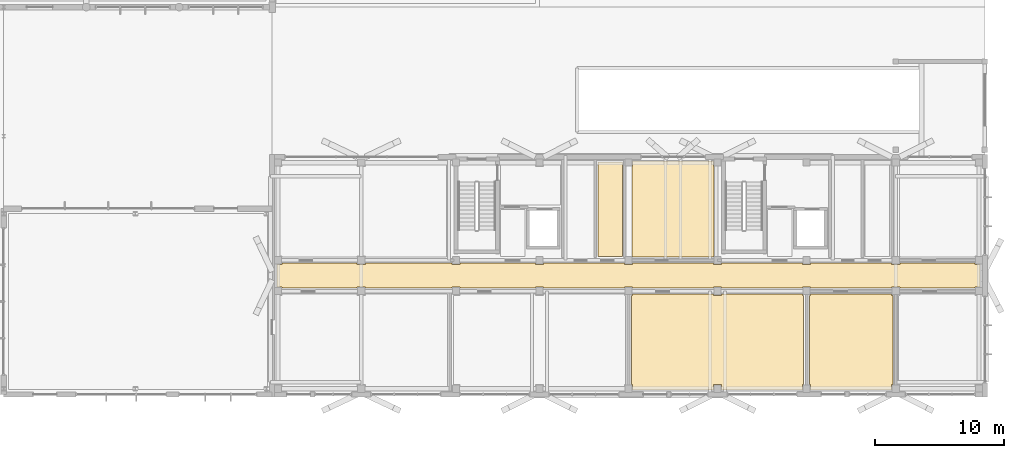
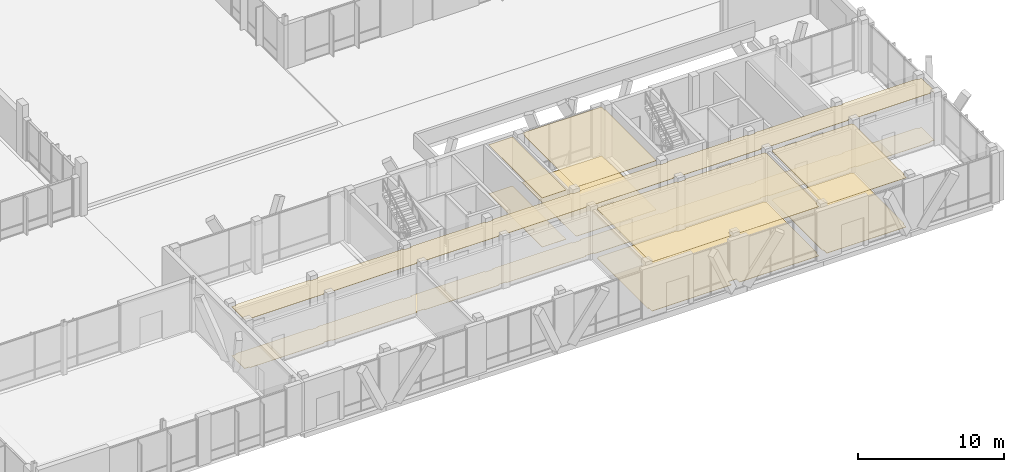
# One storey, part 228 of 233: 10 coverings.
"""IFC4 building model written with IfcOpenShell, lengths in metres."""

import ifcopenshell
import ifcopenshell.guid

model = None  # the IFC model being written
_history = None  # IfcOwnerHistory: only IFC2X3 demands one
_inside = {}  # id of a spatial element -> (the spatial element, [elements in it])
_under = {}  # id of a project, library or spatial element -> (it, [spatial elements below it])
_declared = {}  # id of a project -> (the project, [libraries it declares])
_typed = {}  # id of a type object -> (the type object, [elements of that type])
_made_of = {}  # id of a material, layer set ... -> (it, [elements and type objects made of it])


def new_model(schema):
    """Start an empty IFC model of exactly this schema.

    Asked for "IFC4X3", IfcOpenShell would pick the latest addendum, in which some entities
    have other attributes; the version numbers below select the first issue.
    IFC2X3 requires an IfcOwnerHistory on every rooted entity: one is made here for all.
    """
    global model, _history
    if schema == "IFC4X3":
        model = ifcopenshell.file(schema_version=(4, 3, 0, 0))
    else:
        model = ifcopenshell.file(schema=schema)
    _inside.clear()
    _under.clear()
    _declared.clear()
    _typed.clear()
    _made_of.clear()
    _history = None
    if model.schema == "IFC2X3":
        org = make("IfcOrganization", Name="unknown")
        user = make(
            "IfcPersonAndOrganization",
            ThePerson=make("IfcPerson", FamilyName="unknown"),
            TheOrganization=org,
        )
        app = make(
            "IfcApplication",
            ApplicationDeveloper=org,
            Version="unknown",
            ApplicationFullName="unknown",
            ApplicationIdentifier="unknown",
        )
        _history = make(
            "IfcOwnerHistory",
            OwningUser=user,
            OwningApplication=app,
            ChangeAction="ADDED",
            CreationDate=0,
        )
    return model


def make(cls, **values):
    """One entity of the class cls with the attributes given. An attribute that is None is left unset."""
    return model.create_entity(
        cls, **{name: value for name, value in values.items() if value is not None}
    )


def rooted(cls, **values):
    """An entity with a GlobalId (a new one), such as an element, a storey or a relation."""
    return make(cls, GlobalId=ifcopenshell.guid.new(), OwnerHistory=_history, **values)


def si_unit(unit_type, name, prefix=None):
    """IfcSIUnit, for example si_unit("LENGTHUNIT", "METRE", prefix="MILLI")."""
    return make("IfcSIUnit", UnitType=unit_type, Prefix=prefix, Name=name)


def assignment(units):
    """IfcUnitAssignment: the units of a project."""
    return None if units is None else make("IfcUnitAssignment", Units=units)


def point(xyz):
    """IfcCartesianPoint."""
    return None if xyz is None else make("IfcCartesianPoint", Coordinates=xyz)


def direction(xyz):
    """IfcDirection."""
    return None if xyz is None else make("IfcDirection", DirectionRatios=xyz)


def frame(location, z_axis=None, x_axis=None):
    """IfcAxis2Placement3D, a coordinate frame: its origin and axes. An axis left out is left unset."""
    return make(
        "IfcAxis2Placement3D",
        Location=point(location),
        Axis=direction(z_axis),
        RefDirection=direction(x_axis),
    )


def origin():
    """The frame at (0, 0, 0) with its axes left unset."""
    return frame((0.0, 0.0, 0.0))


def place(relative_to, where):
    """IfcLocalPlacement: puts the frame where relative to a parent placement (None: the world)."""
    return make(
        "IfcLocalPlacement", PlacementRelTo=relative_to, RelativePlacement=where
    )


def context(
    kind, dimensions, precision=None, world=None, true_north=None, identifier=None
):
    """IfcGeometricRepresentationContext, for example the 3D "Model" context."""
    return make(
        "IfcGeometricRepresentationContext",
        ContextIdentifier=identifier,
        ContextType=kind,
        CoordinateSpaceDimension=dimensions,
        Precision=precision,
        WorldCoordinateSystem=world,
        TrueNorth=true_north,
    )


def subcontext(parent, identifier, kind, view, scale=None):
    """IfcGeometricRepresentationSubContext, for example "Body" below "Model"."""
    return make(
        "IfcGeometricRepresentationSubContext",
        ContextIdentifier=identifier,
        ContextType=kind,
        ParentContext=parent,
        TargetScale=scale,
        TargetView=view,
    )


def project(units=None, contexts=None):
    """IfcProject with its units and contexts."""
    return rooted(
        "IfcProject",
        Name="project",
        RepresentationContexts=contexts,
        UnitsInContext=assignment(units),
    )


def spatial(cls, under=None, at=None, **own):
    """A site, building, storey or space (cls), placed at a placement, below another one or the project."""
    s = rooted(cls, ObjectPlacement=at, **own)
    if under is not None:
        _under.setdefault(under.id(), (under, []))[1].append(s)
    return s


def polyline(points):
    """IfcPolyline through the points."""
    return make("IfcPolyline", Points=[point(p) for p in points])


def outline(outer, holes=None, kind="AREA"):
    """IfcArbitraryClosedProfileDef: a profile drawn as a closed curve; with holes, ...WithVoids."""
    if holes is None:
        return make("IfcArbitraryClosedProfileDef", ProfileType=kind, OuterCurve=outer)
    return make(
        "IfcArbitraryProfileDefWithVoids",
        ProfileType=kind,
        OuterCurve=outer,
        InnerCurves=holes,
    )


def extrude(swept, where, along, depth):
    """IfcExtrudedAreaSolid: the profile swept, set in the frame where, extruded along a direction by depth."""
    return make(
        "IfcExtrudedAreaSolid",
        SweptArea=swept,
        Position=where,
        ExtrudedDirection=direction(along),
        Depth=depth,
    )


def shape(context_of_items, identifier, shape_type, items):
    """IfcShapeRepresentation: the items that make up one representation, for example the "Body"."""
    return make(
        "IfcShapeRepresentation",
        ContextOfItems=context_of_items,
        RepresentationIdentifier=identifier,
        RepresentationType=shape_type,
        Items=items,
    )


def material(Name=None, Category=None):
    """IfcMaterial."""
    return make("IfcMaterial", Name=Name, Category=Category)


def layer(
    of_material, thickness, ventilated=None, Name=None, Category=None, Priority=None
):
    """IfcMaterialLayer: one layer of a wall or slab, of a material (None: an air gap)."""
    return make(
        "IfcMaterialLayer",
        Material=of_material,
        LayerThickness=thickness,
        IsVentilated=ventilated,
        Name=Name,
        Category=Category,
        Priority=Priority,
    )


def layer_set(layers, Name=None):
    """IfcMaterialLayerSet."""
    return make("IfcMaterialLayerSet", MaterialLayers=layers, LayerSetName=Name)


def made_of(thing, what):
    """Note that an element or type object is made of a material, layer set ...; save() writes the relation."""
    if what is not None:
        _made_of.setdefault(what.id(), (what, []))[1].append(thing)
    return thing


def type_object(cls, material=None, **own):
    """A type object (cls), such as IfcWallType, which elements share."""
    return made_of(rooted(cls, **own), material)


def element(
    cls,
    number,
    at=None,
    inside=None,
    cuts=None,
    type_object=None,
    material=None,
    context=None,
    identifier="Body",
    shape_type=None,
    held_by="IfcProductDefinitionShape",
    body=None,
    shapes=None,
    **own,
):
    """One element of the class cls, such as IfcWall. Its Tag is "e" and its number.

    at: its placement. inside: the storey or other place that contains it. cuts: it is an
    opening in that element (IfcRelVoidsElement). A single representation is given by context,
    identifier, shape_type and body (its items); several are given by shapes. held_by: the class
    of the entity that holds the representations. save() writes the other relations.
    """
    e = rooted(cls, Tag="e%d" % number, ObjectPlacement=at, **own)
    if body is not None:
        shapes = [shape(context, identifier, shape_type, body)]
    if shapes is not None:
        e.Representation = make(held_by, Representations=shapes)
    if inside is not None:
        _inside.setdefault(inside.id(), (inside, []))[1].append(e)
    if cuts is not None:
        rooted(
            "IfcRelVoidsElement", RelatingBuildingElement=cuts, RelatedOpeningElement=e
        )
    if type_object is not None:
        _typed.setdefault(type_object.id(), (type_object, []))[1].append(e)
    return made_of(e, material)


def aggregate(whole, parts):
    """IfcRelAggregates: a whole, such as a stair, and the parts it consists of."""
    return rooted("IfcRelAggregates", RelatingObject=whole, RelatedObjects=parts)


def save(model, path):
    """Write the relations noted so far, then the file.

    IfcRelAggregates (storeys below a building ...), IfcRelContainedInSpatialStructure (elements
    in a storey), IfcRelDefinesByType, IfcRelAssociatesMaterial and IfcRelDeclares: one each for
    every whole, place, type object, material and project.
    """
    for whole, parts in _under.values():
        aggregate(whole, parts)
    for where, things in _inside.values():
        rooted(
            "IfcRelContainedInSpatialStructure",
            RelatedElements=things,
            RelatingStructure=where,
        )
    for kind, things in _typed.values():
        rooted("IfcRelDefinesByType", RelatedObjects=things, RelatingType=kind)
    for what, things in _made_of.values():
        rooted("IfcRelAssociatesMaterial", RelatedObjects=things, RelatingMaterial=what)
    for by, libraries in _declared.values():
        rooted("IfcRelDeclares", RelatingContext=by, RelatedDefinitions=libraries)
    model.write(path)


model = new_model("IFC4")

# Units and contexts
model_context = context("Model", 3, precision=1e-05, world=origin(), true_north=direction((0.0, 1.0)))
body_context = subcontext(model_context, "Body", "Model", "MODEL_VIEW")
ifc_project = project(units=[si_unit("LENGTHUNIT", "METRE"), si_unit("AREAUNIT", "SQUARE_METRE"), si_unit("VOLUMEUNIT", "CUBIC_METRE"), si_unit("PLANEANGLEUNIT", "RADIAN"), si_unit("MASSUNIT", "GRAM", prefix="KILO")], contexts=[model_context])

# Site, building, storey
site_placement = place(None, origin())
site = spatial("IfcSite", under=ifc_project, at=site_placement, CompositionType="ELEMENT")
building_placement = place(site_placement, origin())
building = spatial("IfcBuilding", under=site, at=building_placement, Name="Zavelmont Quarter", CompositionType="ELEMENT")
storey_placement = place(building_placement, origin())
storey = spatial("IfcBuildingStorey", under=building, at=storey_placement, Name="L00", CompositionType="ELEMENT", Elevation=0.0)

# Coverings
ifc_material_1 = material(Name="Perforated acoustic gypsum board")
ifc_layer_1 = layer(ifc_material_1, 0.02490234375)
ifc_layer_set_1 = layer_set([ifc_layer_1], Name="Perforated acoustic gypsum board")
covering_type_1 = type_object("IfcCoveringType", Name="CV-CL01", PredefinedType="CEILING", material=ifc_layer_set_1)
covering_1_placement = place(storey_placement, frame((0.0, 0.0, 4.094970703125)))
element("IfcCovering", 1, at=covering_1_placement, inside=storey, type_object=covering_type_1, Name="L00 Refuse Chute Room acoustic ceiling", PredefinedType="CEILING", context=body_context, shape_type="SweptSolid", body=[
    extrude(outline(polyline([(138.030029296875, 18.02001953125), (139.919921875, 18.02001953125), (139.919921875, 10.679931640625), (138.030029296875, 10.679931640625), (138.030029296875, 18.02001953125)])), origin(), (0.0, 0.0, 1.0), 0.025146484375),
])
covering_2_placement = place(storey_placement, frame((0.0, 0.0, 4.094970703125)))
element("IfcCovering", 2, at=covering_2_placement, inside=storey, type_object=covering_type_1, Name="L00 Entrance Lobby and Corridor acoustic ceiling", PredefinedType="CEILING", context=body_context, shape_type="SweptSolid", body=[
    extrude(outline(polyline([(113.179931640625, 10.0849609375), (113.554931640625, 10.0849609375), (113.554931640625, 10.169921875), (119.385009765625, 10.169921875), (119.385009765625, 10.0849609375), (120.014892578125, 10.0849609375), (120.014892578125, 10.169921875), (126.72509765625, 10.169921875), (126.72509765625, 10.0849609375), (127.35498046875, 10.0849609375), (127.35498046875, 10.169921875), (133.18505859375, 10.169921875), (133.18505859375, 10.0849609375), (133.81494140625, 10.0849609375), (133.81494140625, 10.169921875), (140.0849609375, 10.169921875), (140.0849609375, 10.0849609375), (140.715087890625, 10.0849609375), (140.715087890625, 10.169921875), (146.985107421875, 10.169921875), (146.985107421875, 10.0849609375), (147.614990234375, 10.0849609375), (147.614990234375, 10.169921875), (153.885009765625, 10.169921875), (153.885009765625, 10.0849609375), (154.514892578125, 10.0849609375), (154.514892578125, 10.169921875), (160.784912109375, 10.169921875), (160.784912109375, 10.0849609375), (161.4150390625, 10.0849609375), (161.4150390625, 10.169921875), (167.2451171875, 10.169921875), (167.2451171875, 10.0849609375), (167.6201171875, 10.0849609375), (167.6201171875, 8.31494140625), (167.2451171875, 8.31494140625), (167.2451171875, 8.22998046875), (161.4150390625, 8.22998046875), (161.4150390625, 8.31494140625), (160.784912109375, 8.31494140625), (160.784912109375, 8.22998046875), (154.514892578125, 8.22998046875), (154.514892578125, 8.31494140625), (153.885009765625, 8.31494140625), (153.885009765625, 8.22998046875), (147.614990234375, 8.22998046875), (147.614990234375, 8.31494140625), (146.985107421875, 8.31494140625), (146.985107421875, 8.22998046875), (140.715087890625, 8.22998046875), (140.715087890625, 8.31494140625), (140.0849609375, 8.31494140625), (140.0849609375, 8.22998046875), (133.81494140625, 8.22998046875), (133.81494140625, 8.31494140625), (133.18505859375, 8.31494140625), (133.18505859375, 8.22998046875), (127.35498046875, 8.22998046875), (127.35498046875, 8.31494140625), (126.72509765625, 8.31494140625), (126.72509765625, 8.22998046875), (120.014892578125, 8.22998046875), (120.014892578125, 8.31494140625), (119.385009765625, 8.31494140625), (119.385009765625, 8.22998046875), (113.554931640625, 8.22998046875), (113.554931640625, 8.31494140625), (113.179931640625, 8.31494140625), (113.179931640625, 10.0849609375)])), origin(), (0.0, 0.0, 1.0), 0.025146484375),
])
covering_3_placement = place(storey_placement, frame((0.0, 0.0, 4.094970703125)))
element("IfcCovering", 3, at=covering_3_placement, inside=storey, type_object=covering_type_1, Name="L00 Pram and Cycle Room acoustic ceiling", PredefinedType="CEILING", context=body_context, shape_type="SweptSolid", body=[
    extrude(outline(polyline([(140.6298828125, 7.68505859375), (140.715087890625, 7.68505859375), (140.715087890625, 7.77001953125), (146.985107421875, 7.77001953125), (146.985107421875, 7.68505859375), (147.614990234375, 7.68505859375), (147.614990234375, 7.77001953125), (153.885009765625, 7.77001953125), (153.885009765625, 7.68505859375), (153.969970703125, 7.68505859375), (153.969970703125, 0.7548828125), (153.885009765625, 0.7548828125), (153.885009765625, 0.330078125), (147.614990234375, 0.330078125), (147.614990234375, 0.7548828125), (146.985107421875, 0.7548828125), (146.985107421875, 0.330078125), (140.715087890625, 0.330078125), (140.715087890625, 0.7548828125), (140.6298828125, 0.7548828125), (140.6298828125, 7.68505859375)])), origin(), (0.0, 0.0, 1.0), 0.025146484375),
])
covering_4_placement = place(storey_placement, frame((0.0, 0.0, 4.094970703125)))
element("IfcCovering", 4, at=covering_4_placement, inside=storey, type_object=covering_type_1, Name="L00 Refuse and Recycling Room acoustic ceiling", PredefinedType="CEILING", context=body_context, shape_type="SweptSolid", body=[
    extrude(outline(polyline([(154.429931640625, 7.68505859375), (154.514892578125, 7.68505859375), (154.514892578125, 7.77001953125), (160.784912109375, 7.77001953125), (160.784912109375, 7.68505859375), (160.8701171875, 7.68505859375), (160.8701171875, 0.7548828125), (160.784912109375, 0.7548828125), (160.784912109375, 0.330078125), (154.514892578125, 0.330078125), (154.514892578125, 0.7548828125), (154.429931640625, 0.7548828125), (154.429931640625, 7.68505859375)])), origin(), (0.0, 0.0, 1.0), 0.025146484375),
])
covering_5_placement = place(storey_placement, frame((0.0, 0.0, 4.094970703125)))
element("IfcCovering", 5, at=covering_5_placement, inside=storey, type_object=covering_type_1, Name="L00 Residents Workshop acoustic ceiling", PredefinedType="CEILING", context=body_context, shape_type="SweptSolid", body=[
    extrude(outline(polyline([(140.679931640625, 17.64501953125), (140.715087890625, 17.64501953125), (140.715087890625, 18.070068359375), (146.985107421875, 18.070068359375), (146.985107421875, 17.64501953125), (147.02001953125, 17.64501953125), (147.02001953125, 10.715087890625), (146.985107421875, 10.715087890625), (146.985107421875, 10.6298828125), (140.715087890625, 10.6298828125), (140.715087890625, 10.715087890625), (140.679931640625, 10.715087890625), (140.679931640625, 17.64501953125)])), origin(), (0.0, 0.0, 1.0), 0.025146484375),
])
ifc_material_2 = material(Name="Engineered European oak parquet")
ifc_layer_2 = layer(ifc_material_2, 0.02197265625)
ifc_layer_set_2 = layer_set([ifc_layer_2], Name="Engineered European oak parquet")
covering_type_2 = type_object("IfcCoveringType", Name="CV-FL01", PredefinedType="FLOORING", material=ifc_layer_set_2)
covering_6_placement = place(storey_placement, origin())
element("IfcCovering", 6, at=covering_6_placement, inside=storey, type_object=covering_type_2, Name="L00 Refuse Chute Room floor finish", PredefinedType="FLOORING", context=body_context, shape_type="SweptSolid", body=[
    extrude(outline(polyline([(138.030029296875, 18.02001953125), (139.919921875, 18.02001953125), (139.919921875, 10.679931640625), (138.030029296875, 10.679931640625), (138.030029296875, 18.02001953125)])), origin(), (0.0, 0.0, 1.0), 0.02197265625),
])
covering_7_placement = place(storey_placement, origin())
element("IfcCovering", 7, at=covering_7_placement, inside=storey, type_object=covering_type_2, Name="L00 Entrance Lobby and Corridor floor finish", PredefinedType="FLOORING", context=body_context, shape_type="SweptSolid", body=[
    extrude(outline(polyline([(113.179931640625, 10.0849609375), (113.554931640625, 10.0849609375), (113.554931640625, 10.169921875), (119.385009765625, 10.169921875), (119.385009765625, 10.0849609375), (120.014892578125, 10.0849609375), (120.014892578125, 10.169921875), (126.72509765625, 10.169921875), (126.72509765625, 10.0849609375), (127.35498046875, 10.0849609375), (127.35498046875, 10.169921875), (133.18505859375, 10.169921875), (133.18505859375, 10.0849609375), (133.81494140625, 10.0849609375), (133.81494140625, 10.169921875), (140.0849609375, 10.169921875), (140.0849609375, 10.0849609375), (140.715087890625, 10.0849609375), (140.715087890625, 10.169921875), (146.985107421875, 10.169921875), (146.985107421875, 10.0849609375), (147.614990234375, 10.0849609375), (147.614990234375, 10.169921875), (153.885009765625, 10.169921875), (153.885009765625, 10.0849609375), (154.514892578125, 10.0849609375), (154.514892578125, 10.169921875), (160.784912109375, 10.169921875), (160.784912109375, 10.0849609375), (161.4150390625, 10.0849609375), (161.4150390625, 10.169921875), (167.2451171875, 10.169921875), (167.2451171875, 10.0849609375), (167.6201171875, 10.0849609375), (167.6201171875, 8.31494140625), (167.2451171875, 8.31494140625), (167.2451171875, 8.22998046875), (161.4150390625, 8.22998046875), (161.4150390625, 8.31494140625), (160.784912109375, 8.31494140625), (160.784912109375, 8.22998046875), (154.514892578125, 8.22998046875), (154.514892578125, 8.31494140625), (153.885009765625, 8.31494140625), (153.885009765625, 8.22998046875), (147.614990234375, 8.22998046875), (147.614990234375, 8.31494140625), (146.985107421875, 8.31494140625), (146.985107421875, 8.22998046875), (140.715087890625, 8.22998046875), (140.715087890625, 8.31494140625), (140.0849609375, 8.31494140625), (140.0849609375, 8.22998046875), (133.81494140625, 8.22998046875), (133.81494140625, 8.31494140625), (133.18505859375, 8.31494140625), (133.18505859375, 8.22998046875), (127.35498046875, 8.22998046875), (127.35498046875, 8.31494140625), (126.72509765625, 8.31494140625), (126.72509765625, 8.22998046875), (120.014892578125, 8.22998046875), (120.014892578125, 8.31494140625), (119.385009765625, 8.31494140625), (119.385009765625, 8.22998046875), (113.554931640625, 8.22998046875), (113.554931640625, 8.31494140625), (113.179931640625, 8.31494140625), (113.179931640625, 10.0849609375)])), origin(), (0.0, 0.0, 1.0), 0.02197265625),
])
covering_8_placement = place(storey_placement, origin())
element("IfcCovering", 8, at=covering_8_placement, inside=storey, type_object=covering_type_2, Name="L00 Pram and Cycle Room floor finish", PredefinedType="FLOORING", context=body_context, shape_type="SweptSolid", body=[
    extrude(outline(polyline([(140.6298828125, 7.68505859375), (140.715087890625, 7.68505859375), (140.715087890625, 7.77001953125), (146.985107421875, 7.77001953125), (146.985107421875, 7.68505859375), (147.614990234375, 7.68505859375), (147.614990234375, 7.77001953125), (153.885009765625, 7.77001953125), (153.885009765625, 7.68505859375), (153.969970703125, 7.68505859375), (153.969970703125, 0.7548828125), (153.885009765625, 0.7548828125), (153.885009765625, 0.330078125), (147.614990234375, 0.330078125), (147.614990234375, 0.7548828125), (146.985107421875, 0.7548828125), (146.985107421875, 0.330078125), (140.715087890625, 0.330078125), (140.715087890625, 0.7548828125), (140.6298828125, 0.7548828125), (140.6298828125, 7.68505859375)])), origin(), (0.0, 0.0, 1.0), 0.02197265625),
])
covering_9_placement = place(storey_placement, origin())
element("IfcCovering", 9, at=covering_9_placement, inside=storey, type_object=covering_type_2, Name="L00 Refuse and Recycling Room floor finish", PredefinedType="FLOORING", context=body_context, shape_type="SweptSolid", body=[
    extrude(outline(polyline([(154.429931640625, 7.68505859375), (154.514892578125, 7.68505859375), (154.514892578125, 7.77001953125), (160.784912109375, 7.77001953125), (160.784912109375, 7.68505859375), (160.8701171875, 7.68505859375), (160.8701171875, 0.7548828125), (160.784912109375, 0.7548828125), (160.784912109375, 0.330078125), (154.514892578125, 0.330078125), (154.514892578125, 0.7548828125), (154.429931640625, 0.7548828125), (154.429931640625, 7.68505859375)])), origin(), (0.0, 0.0, 1.0), 0.02197265625),
])
covering_10_placement = place(storey_placement, origin())
element("IfcCovering", 10, at=covering_10_placement, inside=storey, type_object=covering_type_2, Name="L00 Residents Workshop floor finish", PredefinedType="FLOORING", context=body_context, shape_type="SweptSolid", body=[
    extrude(outline(polyline([(140.679931640625, 17.64501953125), (140.715087890625, 17.64501953125), (140.715087890625, 18.070068359375), (146.985107421875, 18.070068359375), (146.985107421875, 17.64501953125), (147.02001953125, 17.64501953125), (147.02001953125, 10.715087890625), (146.985107421875, 10.715087890625), (146.985107421875, 10.6298828125), (140.715087890625, 10.6298828125), (140.715087890625, 10.715087890625), (140.679931640625, 10.715087890625), (140.679931640625, 17.64501953125)])), origin(), (0.0, 0.0, 1.0), 0.02197265625),
])

save(model, "model.ifc")
